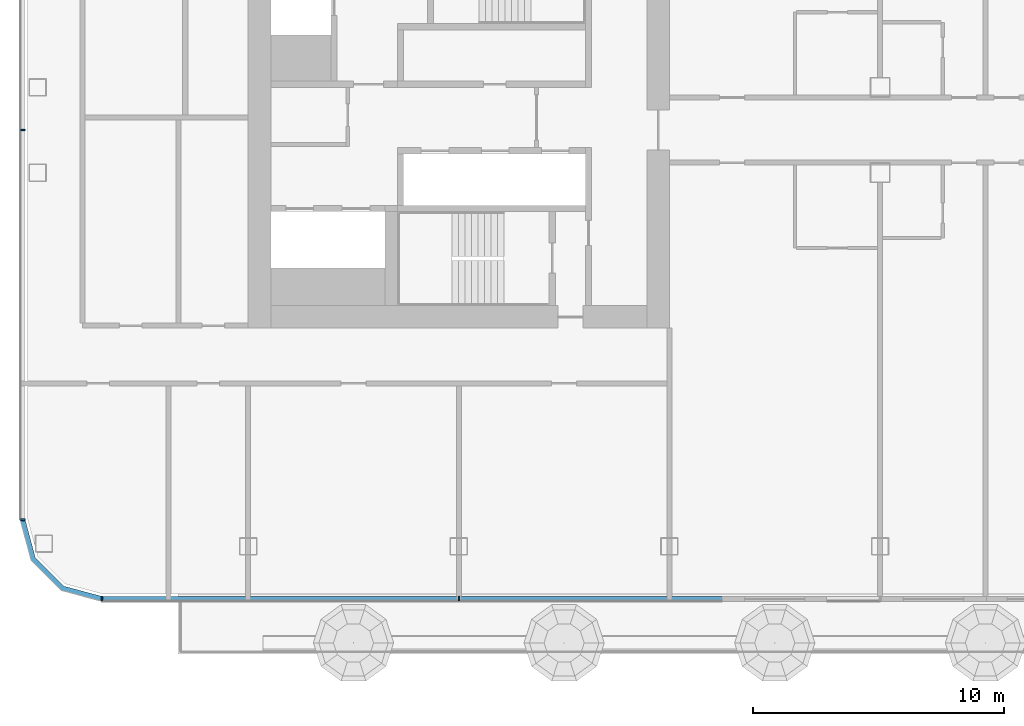
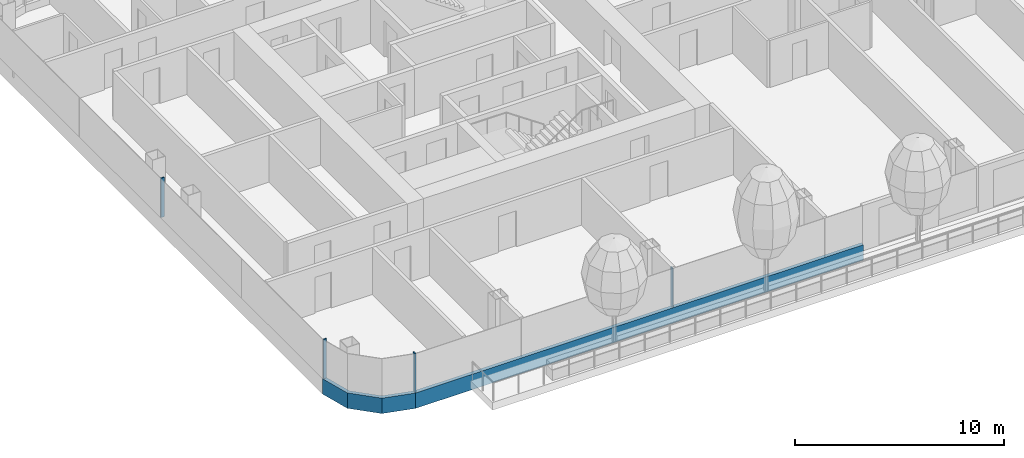
# One storey, part 2 of 30: 6 members, 3 elements without a shape of their own.
"""IFC4 building model written with IfcOpenShell, lengths in metres."""

from ifc_helpers import new_model, si_unit, direction, frame, origin, origin_2d, place, context, subcontext, project, spatial, polyline, rectangle, outline, extrude, material, layer, layer_set, material_profile, profile_set, type_object, element, aggregate, save


model = new_model("IFC4")

# Units and contexts
model_context = context("Model", 3, precision=1e-05, world=origin(), true_north=direction((0.0, 1.0)))
body_context = subcontext(model_context, "Body", "Model", "MODEL_VIEW")
ifc_project = project(units=[si_unit("LENGTHUNIT", "METRE"), si_unit("AREAUNIT", "SQUARE_METRE"), si_unit("VOLUMEUNIT", "CUBIC_METRE"), si_unit("PLANEANGLEUNIT", "RADIAN"), si_unit("MASSUNIT", "GRAM", prefix="KILO")], contexts=[model_context])

# Site, building, storey
site_placement = place(None, origin())
site = spatial("IfcSite", under=ifc_project, at=site_placement, CompositionType="ELEMENT")
building_placement = place(site_placement, origin())
building = spatial("IfcBuilding", under=site, at=building_placement, Name="Hakoniwa Tower and Hamabe Station Hall", CompositionType="ELEMENT")
storey_placement = place(building_placement, frame((0.0, 0.0, 137.39990234375)))
storey = spatial("IfcBuildingStorey", under=building, at=storey_placement, Name="L38", CompositionType="ELEMENT", Elevation=137.39990234375)

# Curtain wall, member
ifc_material_1 = material(Name="Dark low-e laminated glass", Category="glass")
ifc_layer = layer(ifc_material_1, 0.199951171875)
ifc_layer_set = layer_set([ifc_layer], Name="CW-1 UNITISED GUEST")
curtain_wall_type = type_object("IfcCurtainWallType", Name="CW-1 UNITISED GUEST", PredefinedType="NOTDEFINED", material=ifc_layer_set)
curtain_wall_1_placement = place(storey_placement, origin())
curtain_wall_1 = element("IfcCurtainWall", 1, at=curtain_wall_1_placement, inside=storey, type_object=curtain_wall_type, Name="CW-1 curtain wall", PredefinedType="NOTDEFINED")
ifc_material_2 = material(Name="Aluminium 6063-T5 black anodised", Category="aluminium")
ifc_material_profile_1 = material_profile(ifc_material_2, rectangle(XDim=0.199951171875, YDim=0.89990234375, at=origin_2d()), Name="CW SLAB-EDGE BAND 900X200")
ifc_profile_set_1 = profile_set([ifc_material_profile_1], Name="Aluminium 6063-T5 black anodised")
member_type_1 = type_object("IfcMemberType", Name="CW SLAB-EDGE BAND 900X200", PredefinedType="USERDEFINED", material=ifc_profile_set_1)
member_1_placement = place(storey_placement, frame((0.0, 0.0, -0.5498046875)))
member_1 = element("IfcMember", 2, at=member_1_placement, type_object=member_type_1, Name="CW-1 transom", ObjectType="TRANSOM", PredefinedType="USERDEFINED", context=body_context, shape_type="SweptSolid", body=[
    extrude(outline(polyline([(-42.699951171875, -16.03955078125), (-42.26708984375, -17.6552734375), (-41.05517578125, -18.866943359375), (-39.439453125, -19.300048828125), (-39.3876953125, -19.10693359375), (-40.95166015625, -18.687744140625), (-42.087646484375, -17.5517578125), (-42.5068359375, -15.98779296875), (-42.699951171875, -16.03955078125)])), origin(), (0.0, 0.0, 1.0), 0.89990234375),
])
aggregate(curtain_wall_1, [member_1])

curtain_wall_2_placement = place(storey_placement, origin())
curtain_wall_2 = element("IfcCurtainWall", 3, at=curtain_wall_2_placement, inside=storey, type_object=curtain_wall_type, Name="CW-1 curtain wall", PredefinedType="NOTDEFINED")
member_2_placement = place(storey_placement, frame((-39.439453125, -19.199951171875, -0.099853515625), z_axis=(1.0, 0.0, 0.0), x_axis=(0.0, 1.0, 0.0)))
member_2 = element("IfcMember", 4, at=member_2_placement, type_object=member_type_1, Name="CW-1 transom", ObjectType="TRANSOM", PredefinedType="USERDEFINED", context=body_context, shape_type="SweptSolid", body=[
    extrude(rectangle(XDim=0.199951171875, YDim=0.89990234375, at=origin_2d()), origin(), (0.0, 0.0, 1.0), 24.76953125),
])

# Curtain wall, members
curtain_wall_3_placement = place(storey_placement, origin())
curtain_wall_3 = element("IfcCurtainWall", 5, at=curtain_wall_3_placement, inside=storey, type_object=curtain_wall_type, Name="CW-1 curtain wall", PredefinedType="NOTDEFINED")
ifc_material_3 = material(Name="Aluminium 6063-T5 black anodised", Category="aluminium")
ifc_material_profile_2 = material_profile(ifc_material_3, rectangle(XDim=0.06005859375, YDim=0.179931640625, at=origin_2d()), Name="CW-1 MULLION 60X180")
ifc_profile_set_2 = profile_set([ifc_material_profile_2], Name="Aluminium 6063-T5 black anodised")
member_type_2 = type_object("IfcMemberType", Name="CW-1 MULLION 60X180", PredefinedType="MULLION", material=ifc_profile_set_2)
member_3_placement = place(storey_placement, frame((-42.58203125, -0.5, 0.35009765625), z_axis=(0.0, 0.0, 1.0), x_axis=(0.0, -1.0, 0.0)))
member_3 = element("IfcMember", 6, at=member_3_placement, type_object=member_type_2, Name="CW-1 mullion", PredefinedType="MULLION", context=body_context, shape_type="SweptSolid", body=[
    extrude(rectangle(XDim=0.06005859375, YDim=0.179931640625, at=origin_2d()), origin(), (0.0, 0.0, 1.0), 2.300048828125),
])
member_4_placement = place(storey_placement, frame((-42.58203125, -16.03955078125, 0.35009765625), z_axis=(0.0, 0.0, 1.0), x_axis=(0.0, -1.0, 0.0)))
member_4 = element("IfcMember", 7, at=member_4_placement, type_object=member_type_2, Name="CW-1 mullion", PredefinedType="MULLION", context=body_context, shape_type="SweptSolid", body=[
    extrude(rectangle(XDim=0.06005859375, YDim=0.179931640625, at=origin_2d()), origin(), (0.0, 0.0, 1.0), 2.300048828125),
])
aggregate(curtain_wall_3, [member_3, member_4])

# Member
member_5_placement = place(storey_placement, frame((-39.439453125, -19.181884765625, 0.35009765625), z_axis=(0.0, 0.0, 1.0), x_axis=(1.0, 0.0, 0.0)))
member_5 = element("IfcMember", 8, at=member_5_placement, type_object=member_type_2, Name="CW-1 mullion", PredefinedType="MULLION", context=body_context, shape_type="SweptSolid", body=[
    extrude(rectangle(XDim=0.06005859375, YDim=0.179931640625, at=origin_2d()), origin(), (0.0, 0.0, 1.0), 2.300048828125),
])

member_6_placement = place(storey_placement, frame((-25.199951171875, -19.181884765625, 0.35009765625), z_axis=(0.0, 0.0, 1.0), x_axis=(1.0, 0.0, 0.0)))
member_6 = element("IfcMember", 9, at=member_6_placement, type_object=member_type_2, Name="CW-1 mullion", PredefinedType="MULLION", context=body_context, shape_type="SweptSolid", body=[
    extrude(rectangle(XDim=0.06005859375, YDim=0.179931640625, at=origin_2d()), origin(), (0.0, 0.0, 1.0), 2.300048828125),
])

aggregate(curtain_wall_2, [member_5, member_6, member_2])

save(model, "model.ifc")
